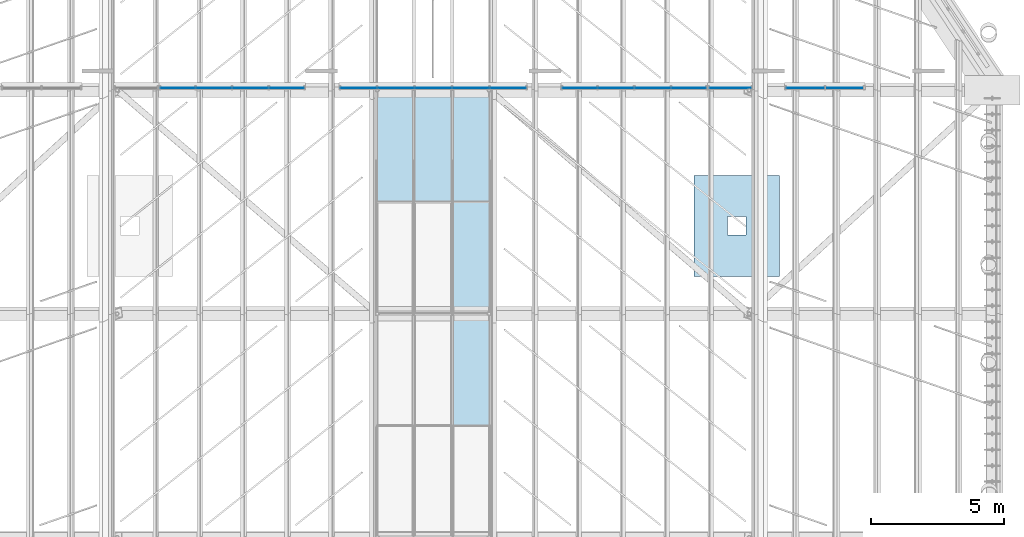
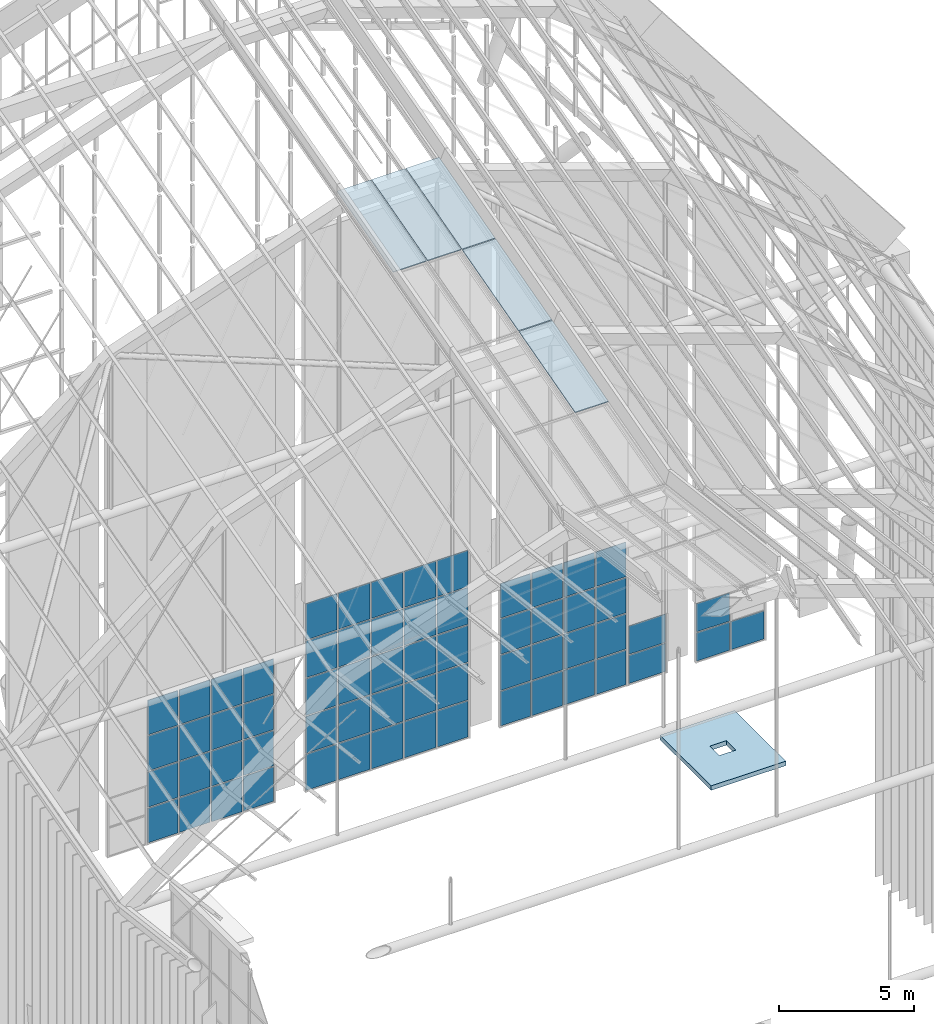
# One storey, part 76 of 126: 67 plates, 1 slab, 5 elements without a shape of their own.
"""IFC4 building model written with IfcOpenShell, lengths in metres."""

from ifc_helpers import new_model, si_unit, direction, frame, origin, origin_2d, place, context, subcontext, project, spatial, polyline, rectangle, outline, extrude, material, layer, layer_set, type_object, element, aggregate, save


model = new_model("IFC4")

# Units and contexts
model_context = context("Model", 3, precision=1e-05, world=origin(), true_north=direction((0.0, 1.0)))
body_context = subcontext(model_context, "Body", "Model", "MODEL_VIEW")
ifc_project = project(units=[si_unit("LENGTHUNIT", "METRE"), si_unit("AREAUNIT", "SQUARE_METRE"), si_unit("VOLUMEUNIT", "CUBIC_METRE"), si_unit("PLANEANGLEUNIT", "RADIAN"), si_unit("MASSUNIT", "GRAM", prefix="KILO")], contexts=[model_context])

# Site, building, storey
site_placement = place(None, origin())
site = spatial("IfcSite", under=ifc_project, at=site_placement, CompositionType="ELEMENT")
building_placement = place(site_placement, origin())
building = spatial("IfcBuilding", under=site, at=building_placement, Name="Sava Quay Ferry Terminal", CompositionType="ELEMENT")
storey_placement = place(building_placement, frame((0.0, 0.0, 15.0)))
storey = spatial("IfcBuildingStorey", under=building, at=storey_placement, Name="L03", CompositionType="ELEMENT", Elevation=15.0)

# Curtain wall, plates
ifc_material_1 = material(Name="Aluminium and glass curtain wall, double low-e glazed", Category="aluminium")
curtain_wall_type = type_object("IfcCurtainWallType", Name="Curtain wall CW-G gable", PredefinedType="NOTDEFINED", material=ifc_material_1)
curtain_wall_1_placement = place(storey_placement, origin())
curtain_wall_1 = element("IfcCurtainWall", 1, at=curtain_wall_1_placement, inside=storey, type_object=curtain_wall_type, Name="Curtain wall D-N L03 bay 21", PredefinedType="NOTDEFINED")
ifc_material_2 = material(Name="Laminated glass, double low-e glazed unit", Category="glass")
ifc_layer_1 = layer(ifc_material_2, 0.028076171875)
ifc_layer_set_1 = layer_set([ifc_layer_1], Name="Laminated glass, double low-e glazed unit")
plate_type_1 = type_object("IfcPlateType", Name="Glass panel 28 double low-e", PredefinedType="CURTAIN_PANEL", material=ifc_layer_set_1)
plate_1_placement = place(storey_placement, frame((53.402587890625, 100.885009765625, 0.050048828125), z_axis=(0.0, 0.0, 1.0), x_axis=(1.0, 0.0, 0.0)))
plate_1 = element("IfcPlate", 2, at=plate_1_placement, type_object=plate_type_1, Name="CW68 panel 1.1", PredefinedType="CURTAIN_PANEL", context=body_context, shape_type="SweptSolid", body=[
    extrude(rectangle(XDim=1.284912109375, YDim=0.028076171875, at=origin_2d()), origin(), (0.0, 0.0, 1.0), 1.5625),
])
plate_2_placement = place(storey_placement, frame((53.402587890625, 100.885009765625, 1.66259765625), z_axis=(0.0, 0.0, 1.0), x_axis=(1.0, 0.0, 0.0)))
plate_2 = element("IfcPlate", 3, at=plate_2_placement, type_object=plate_type_1, Name="CW68 panel 1.2", PredefinedType="CURTAIN_PANEL", context=body_context, shape_type="SweptSolid", body=[
    extrude(rectangle(XDim=1.284912109375, YDim=0.028076171875, at=origin_2d()), origin(), (0.0, 0.0, 1.0), 1.58740234375),
])
plate_3_placement = place(storey_placement, frame((53.402587890625, 100.885009765625, 3.300048828125), z_axis=(0.0, 0.0, 1.0), x_axis=(1.0, 0.0, 0.0)))
plate_3 = element("IfcPlate", 4, at=plate_3_placement, type_object=plate_type_1, Name="CW68 panel 1.3", PredefinedType="CURTAIN_PANEL", context=body_context, shape_type="SweptSolid", body=[
    extrude(rectangle(XDim=1.284912109375, YDim=0.028076171875, at=origin_2d()), origin(), (0.0, 0.0, 1.0), 1.58740234375),
])
plate_4_placement = place(storey_placement, frame((53.402587890625, 100.885009765625, 4.9375), z_axis=(0.0, 0.0, 1.0), x_axis=(1.0, 0.0, 0.0)))
plate_4 = element("IfcPlate", 5, at=plate_4_placement, type_object=plate_type_1, Name="CW68 panel 1.4", PredefinedType="CURTAIN_PANEL", context=body_context, shape_type="SweptSolid", body=[
    extrude(rectangle(XDim=1.284912109375, YDim=0.028076171875, at=origin_2d()), origin(), (0.0, 0.0, 1.0), 1.5625),
])
plate_5_placement = place(storey_placement, frame((54.762451171875, 100.885009765625, 0.050048828125), z_axis=(0.0, 0.0, 1.0), x_axis=(1.0, 0.0, 0.0)))
plate_5 = element("IfcPlate", 6, at=plate_5_placement, type_object=plate_type_1, Name="CW68 panel 2.1", PredefinedType="CURTAIN_PANEL", context=body_context, shape_type="SweptSolid", body=[
    extrude(rectangle(XDim=1.31494140625, YDim=0.028076171875, at=origin_2d()), origin(), (0.0, 0.0, 1.0), 1.5625),
])
plate_6_placement = place(storey_placement, frame((54.762451171875, 100.885009765625, 1.66259765625), z_axis=(0.0, 0.0, 1.0), x_axis=(1.0, 0.0, 0.0)))
plate_6 = element("IfcPlate", 7, at=plate_6_placement, type_object=plate_type_1, Name="CW68 panel 2.2", PredefinedType="CURTAIN_PANEL", context=body_context, shape_type="SweptSolid", body=[
    extrude(rectangle(XDim=1.31494140625, YDim=0.028076171875, at=origin_2d()), origin(), (0.0, 0.0, 1.0), 1.58740234375),
])
plate_7_placement = place(storey_placement, frame((54.762451171875, 100.885009765625, 3.300048828125), z_axis=(0.0, 0.0, 1.0), x_axis=(1.0, 0.0, 0.0)))
plate_7 = element("IfcPlate", 8, at=plate_7_placement, type_object=plate_type_1, Name="CW68 panel 2.3", PredefinedType="CURTAIN_PANEL", context=body_context, shape_type="SweptSolid", body=[
    extrude(rectangle(XDim=1.31494140625, YDim=0.028076171875, at=origin_2d()), origin(), (0.0, 0.0, 1.0), 1.58740234375),
])
plate_8_placement = place(storey_placement, frame((54.762451171875, 100.885009765625, 4.9375), z_axis=(0.0, 0.0, 1.0), x_axis=(1.0, 0.0, 0.0)))
plate_8 = element("IfcPlate", 9, at=plate_8_placement, type_object=plate_type_1, Name="CW68 panel 2.4", PredefinedType="CURTAIN_PANEL", context=body_context, shape_type="SweptSolid", body=[
    extrude(rectangle(XDim=1.31494140625, YDim=0.028076171875, at=origin_2d()), origin(), (0.0, 0.0, 1.0), 1.5625),
])
plate_9_placement = place(storey_placement, frame((56.137451171875, 100.885009765625, 0.050048828125), z_axis=(0.0, 0.0, 1.0), x_axis=(1.0, 0.0, 0.0)))
plate_9 = element("IfcPlate", 10, at=plate_9_placement, type_object=plate_type_1, Name="CW68 panel 3.1", PredefinedType="CURTAIN_PANEL", context=body_context, shape_type="SweptSolid", body=[
    extrude(rectangle(XDim=1.31494140625, YDim=0.028076171875, at=origin_2d()), origin(), (0.0, 0.0, 1.0), 1.5625),
])
plate_10_placement = place(storey_placement, frame((56.137451171875, 100.885009765625, 1.66259765625), z_axis=(0.0, 0.0, 1.0), x_axis=(1.0, 0.0, 0.0)))
plate_10 = element("IfcPlate", 11, at=plate_10_placement, type_object=plate_type_1, Name="CW68 panel 3.2", PredefinedType="CURTAIN_PANEL", context=body_context, shape_type="SweptSolid", body=[
    extrude(rectangle(XDim=1.31494140625, YDim=0.028076171875, at=origin_2d()), origin(), (0.0, 0.0, 1.0), 1.58740234375),
])
plate_11_placement = place(storey_placement, frame((56.137451171875, 100.885009765625, 3.300048828125), z_axis=(0.0, 0.0, 1.0), x_axis=(1.0, 0.0, 0.0)))
plate_11 = element("IfcPlate", 12, at=plate_11_placement, type_object=plate_type_1, Name="CW68 panel 3.3", PredefinedType="CURTAIN_PANEL", context=body_context, shape_type="SweptSolid", body=[
    extrude(rectangle(XDim=1.31494140625, YDim=0.028076171875, at=origin_2d()), origin(), (0.0, 0.0, 1.0), 1.58740234375),
])
plate_12_placement = place(storey_placement, frame((56.137451171875, 100.885009765625, 4.9375), z_axis=(0.0, 0.0, 1.0), x_axis=(1.0, 0.0, 0.0)))
plate_12 = element("IfcPlate", 13, at=plate_12_placement, type_object=plate_type_1, Name="CW68 panel 3.4", PredefinedType="CURTAIN_PANEL", context=body_context, shape_type="SweptSolid", body=[
    extrude(rectangle(XDim=1.31494140625, YDim=0.028076171875, at=origin_2d()), origin(), (0.0, 0.0, 1.0), 1.5625),
])
plate_13_placement = place(storey_placement, frame((57.49755859375, 100.885009765625, 0.050048828125), z_axis=(0.0, 0.0, 1.0), x_axis=(1.0, 0.0, 0.0)))
plate_13 = element("IfcPlate", 14, at=plate_13_placement, type_object=plate_type_1, Name="CW68 panel 4.1", PredefinedType="CURTAIN_PANEL", context=body_context, shape_type="SweptSolid", body=[
    extrude(rectangle(XDim=1.284912109375, YDim=0.028076171875, at=origin_2d()), origin(), (0.0, 0.0, 1.0), 1.5625),
])
plate_14_placement = place(storey_placement, frame((57.49755859375, 100.885009765625, 1.66259765625), z_axis=(0.0, 0.0, 1.0), x_axis=(1.0, 0.0, 0.0)))
plate_14 = element("IfcPlate", 15, at=plate_14_placement, type_object=plate_type_1, Name="CW68 panel 4.2", PredefinedType="CURTAIN_PANEL", context=body_context, shape_type="SweptSolid", body=[
    extrude(rectangle(XDim=1.284912109375, YDim=0.028076171875, at=origin_2d()), origin(), (0.0, 0.0, 1.0), 1.58740234375),
])
plate_15_placement = place(storey_placement, frame((57.49755859375, 100.885009765625, 3.300048828125), z_axis=(0.0, 0.0, 1.0), x_axis=(1.0, 0.0, 0.0)))
plate_15 = element("IfcPlate", 16, at=plate_15_placement, type_object=plate_type_1, Name="CW68 panel 4.3", PredefinedType="CURTAIN_PANEL", context=body_context, shape_type="SweptSolid", body=[
    extrude(rectangle(XDim=1.284912109375, YDim=0.028076171875, at=origin_2d()), origin(), (0.0, 0.0, 1.0), 1.58740234375),
])
plate_16_placement = place(storey_placement, frame((57.49755859375, 100.885009765625, 4.9375), z_axis=(0.0, 0.0, 1.0), x_axis=(1.0, 0.0, 0.0)))
plate_16 = element("IfcPlate", 17, at=plate_16_placement, type_object=plate_type_1, Name="CW68 panel 4.4", PredefinedType="CURTAIN_PANEL", context=body_context, shape_type="SweptSolid", body=[
    extrude(rectangle(XDim=1.284912109375, YDim=0.028076171875, at=origin_2d()), origin(), (0.0, 0.0, 1.0), 1.5625),
])
aggregate(curtain_wall_1, [plate_1, plate_2, plate_3, plate_4, plate_5, plate_6, plate_7, plate_8, plate_9, plate_10, plate_11, plate_12, plate_13, plate_14, plate_15, plate_16])

curtain_wall_2_placement = place(storey_placement, origin())
curtain_wall_2 = element("IfcCurtainWall", 18, at=curtain_wall_2_placement, inside=storey, type_object=curtain_wall_type, Name="Curtain wall D-N L03 bay 31", PredefinedType="NOTDEFINED")
plate_17_placement = place(storey_placement, frame((60.19091796875, 100.885009765625, 0.0498046875), z_axis=(0.0, 0.0, 1.0), x_axis=(1.0, 0.0, 0.0)))
plate_17 = element("IfcPlate", 19, at=plate_17_placement, type_object=plate_type_1, Name="CW72 panel 1.1", PredefinedType="CURTAIN_PANEL", context=body_context, shape_type="SweptSolid", body=[
    extrude(rectangle(XDim=1.322021484375, YDim=0.028076171875, at=origin_2d()), origin(), (0.0, 0.0, 1.0), 1.635009765625),
])
plate_18_placement = place(storey_placement, frame((60.19091796875, 100.885009765625, 1.73486328125), z_axis=(0.0, 0.0, 1.0), x_axis=(1.0, 0.0, 0.0)))
plate_18 = element("IfcPlate", 20, at=plate_18_placement, type_object=plate_type_1, Name="CW72 panel 1.2", PredefinedType="CURTAIN_PANEL", context=body_context, shape_type="SweptSolid", body=[
    extrude(rectangle(XDim=1.322021484375, YDim=0.028076171875, at=origin_2d()), origin(), (0.0, 0.0, 1.0), 1.659912109375),
])
plate_19_placement = place(storey_placement, frame((60.19091796875, 100.885009765625, 3.44482421875), z_axis=(0.0, 0.0, 1.0), x_axis=(1.0, 0.0, 0.0)))
plate_19 = element("IfcPlate", 21, at=plate_19_placement, type_object=plate_type_1, Name="CW72 panel 1.3", PredefinedType="CURTAIN_PANEL", context=body_context, shape_type="SweptSolid", body=[
    extrude(rectangle(XDim=1.322021484375, YDim=0.028076171875, at=origin_2d()), origin(), (0.0, 0.0, 1.0), 1.659912109375),
])
plate_20_placement = place(storey_placement, frame((60.19091796875, 100.885009765625, 5.1552734375), z_axis=(0.0, 0.0, 1.0), x_axis=(1.0, 0.0, 0.0)))
plate_20 = element("IfcPlate", 22, at=plate_20_placement, type_object=plate_type_1, Name="CW72 panel 1.4", PredefinedType="CURTAIN_PANEL", context=body_context, shape_type="SweptSolid", body=[
    extrude(rectangle(XDim=1.322021484375, YDim=0.028076171875, at=origin_2d()), origin(), (0.0, 0.0, 1.0), 1.659912109375),
])
plate_21_placement = place(storey_placement, frame((60.19091796875, 100.885009765625, 6.865234375), z_axis=(0.0, 0.0, 1.0), x_axis=(1.0, 0.0, 0.0)))
plate_21 = element("IfcPlate", 23, at=plate_21_placement, type_object=plate_type_1, Name="CW72 panel 1.5", PredefinedType="CURTAIN_PANEL", context=body_context, shape_type="SweptSolid", body=[
    extrude(rectangle(XDim=1.322021484375, YDim=0.028076171875, at=origin_2d()), origin(), (0.0, 0.0, 1.0), 1.635009765625),
])
plate_22_placement = place(storey_placement, frame((61.587890625, 100.885009765625, 0.0498046875), z_axis=(0.0, 0.0, 1.0), x_axis=(1.0, 0.0, 0.0)))
plate_22 = element("IfcPlate", 24, at=plate_22_placement, type_object=plate_type_1, Name="CW72 panel 2.1", PredefinedType="CURTAIN_PANEL", context=body_context, shape_type="SweptSolid", body=[
    extrude(rectangle(XDim=1.35205078125, YDim=0.028076171875, at=origin_2d()), origin(), (0.0, 0.0, 1.0), 1.635009765625),
])
plate_23_placement = place(storey_placement, frame((61.587890625, 100.885009765625, 1.73486328125), z_axis=(0.0, 0.0, 1.0), x_axis=(1.0, 0.0, 0.0)))
plate_23 = element("IfcPlate", 25, at=plate_23_placement, type_object=plate_type_1, Name="CW72 panel 2.2", PredefinedType="CURTAIN_PANEL", context=body_context, shape_type="SweptSolid", body=[
    extrude(rectangle(XDim=1.35205078125, YDim=0.028076171875, at=origin_2d()), origin(), (0.0, 0.0, 1.0), 1.659912109375),
])
plate_24_placement = place(storey_placement, frame((61.587890625, 100.885009765625, 3.44482421875), z_axis=(0.0, 0.0, 1.0), x_axis=(1.0, 0.0, 0.0)))
plate_24 = element("IfcPlate", 26, at=plate_24_placement, type_object=plate_type_1, Name="CW72 panel 2.3", PredefinedType="CURTAIN_PANEL", context=body_context, shape_type="SweptSolid", body=[
    extrude(rectangle(XDim=1.35205078125, YDim=0.028076171875, at=origin_2d()), origin(), (0.0, 0.0, 1.0), 1.659912109375),
])
plate_25_placement = place(storey_placement, frame((61.587890625, 100.885009765625, 5.1552734375), z_axis=(0.0, 0.0, 1.0), x_axis=(1.0, 0.0, 0.0)))
plate_25 = element("IfcPlate", 27, at=plate_25_placement, type_object=plate_type_1, Name="CW72 panel 2.4", PredefinedType="CURTAIN_PANEL", context=body_context, shape_type="SweptSolid", body=[
    extrude(rectangle(XDim=1.35205078125, YDim=0.028076171875, at=origin_2d()), origin(), (0.0, 0.0, 1.0), 1.659912109375),
])
plate_26_placement = place(storey_placement, frame((61.587890625, 100.885009765625, 6.865234375), z_axis=(0.0, 0.0, 1.0), x_axis=(1.0, 0.0, 0.0)))
plate_26 = element("IfcPlate", 28, at=plate_26_placement, type_object=plate_type_1, Name="CW72 panel 2.5", PredefinedType="CURTAIN_PANEL", context=body_context, shape_type="SweptSolid", body=[
    extrude(rectangle(XDim=1.35205078125, YDim=0.028076171875, at=origin_2d()), origin(), (0.0, 0.0, 1.0), 1.635009765625),
])
plate_27_placement = place(storey_placement, frame((63.0, 100.885009765625, 0.0498046875), z_axis=(0.0, 0.0, 1.0), x_axis=(1.0, 0.0, 0.0)))
plate_27 = element("IfcPlate", 29, at=plate_27_placement, type_object=plate_type_1, Name="CW72 panel 3.1", PredefinedType="CURTAIN_PANEL", context=body_context, shape_type="SweptSolid", body=[
    extrude(rectangle(XDim=1.35205078125, YDim=0.028076171875, at=origin_2d()), origin(), (0.0, 0.0, 1.0), 1.635009765625),
])
plate_28_placement = place(storey_placement, frame((63.0, 100.885009765625, 1.73486328125), z_axis=(0.0, 0.0, 1.0), x_axis=(1.0, 0.0, 0.0)))
plate_28 = element("IfcPlate", 30, at=plate_28_placement, type_object=plate_type_1, Name="CW72 panel 3.2", PredefinedType="CURTAIN_PANEL", context=body_context, shape_type="SweptSolid", body=[
    extrude(rectangle(XDim=1.35205078125, YDim=0.028076171875, at=origin_2d()), origin(), (0.0, 0.0, 1.0), 1.659912109375),
])
plate_29_placement = place(storey_placement, frame((63.0, 100.885009765625, 3.44482421875), z_axis=(0.0, 0.0, 1.0), x_axis=(1.0, 0.0, 0.0)))
plate_29 = element("IfcPlate", 31, at=plate_29_placement, type_object=plate_type_1, Name="CW72 panel 3.3", PredefinedType="CURTAIN_PANEL", context=body_context, shape_type="SweptSolid", body=[
    extrude(rectangle(XDim=1.35205078125, YDim=0.028076171875, at=origin_2d()), origin(), (0.0, 0.0, 1.0), 1.659912109375),
])
plate_30_placement = place(storey_placement, frame((63.0, 100.885009765625, 5.1552734375), z_axis=(0.0, 0.0, 1.0), x_axis=(1.0, 0.0, 0.0)))
plate_30 = element("IfcPlate", 32, at=plate_30_placement, type_object=plate_type_1, Name="CW72 panel 3.4", PredefinedType="CURTAIN_PANEL", context=body_context, shape_type="SweptSolid", body=[
    extrude(rectangle(XDim=1.35205078125, YDim=0.028076171875, at=origin_2d()), origin(), (0.0, 0.0, 1.0), 1.659912109375),
])
plate_31_placement = place(storey_placement, frame((63.0, 100.885009765625, 6.865234375), z_axis=(0.0, 0.0, 1.0), x_axis=(1.0, 0.0, 0.0)))
plate_31 = element("IfcPlate", 33, at=plate_31_placement, type_object=plate_type_1, Name="CW72 panel 3.5", PredefinedType="CURTAIN_PANEL", context=body_context, shape_type="SweptSolid", body=[
    extrude(rectangle(XDim=1.35205078125, YDim=0.028076171875, at=origin_2d()), origin(), (0.0, 0.0, 1.0), 1.635009765625),
])
plate_32_placement = place(storey_placement, frame((64.412109375, 100.885009765625, 0.0498046875), z_axis=(0.0, 0.0, 1.0), x_axis=(1.0, 0.0, 0.0)))
plate_32 = element("IfcPlate", 34, at=plate_32_placement, type_object=plate_type_1, Name="CW72 panel 4.1", PredefinedType="CURTAIN_PANEL", context=body_context, shape_type="SweptSolid", body=[
    extrude(rectangle(XDim=1.35205078125, YDim=0.028076171875, at=origin_2d()), origin(), (0.0, 0.0, 1.0), 1.635009765625),
])
plate_33_placement = place(storey_placement, frame((64.412109375, 100.885009765625, 1.73486328125), z_axis=(0.0, 0.0, 1.0), x_axis=(1.0, 0.0, 0.0)))
plate_33 = element("IfcPlate", 35, at=plate_33_placement, type_object=plate_type_1, Name="CW72 panel 4.2", PredefinedType="CURTAIN_PANEL", context=body_context, shape_type="SweptSolid", body=[
    extrude(rectangle(XDim=1.35205078125, YDim=0.028076171875, at=origin_2d()), origin(), (0.0, 0.0, 1.0), 1.659912109375),
])
plate_34_placement = place(storey_placement, frame((64.412109375, 100.885009765625, 3.44482421875), z_axis=(0.0, 0.0, 1.0), x_axis=(1.0, 0.0, 0.0)))
plate_34 = element("IfcPlate", 36, at=plate_34_placement, type_object=plate_type_1, Name="CW72 panel 4.3", PredefinedType="CURTAIN_PANEL", context=body_context, shape_type="SweptSolid", body=[
    extrude(rectangle(XDim=1.35205078125, YDim=0.028076171875, at=origin_2d()), origin(), (0.0, 0.0, 1.0), 1.659912109375),
])
plate_35_placement = place(storey_placement, frame((64.412109375, 100.885009765625, 5.1552734375), z_axis=(0.0, 0.0, 1.0), x_axis=(1.0, 0.0, 0.0)))
plate_35 = element("IfcPlate", 37, at=plate_35_placement, type_object=plate_type_1, Name="CW72 panel 4.4", PredefinedType="CURTAIN_PANEL", context=body_context, shape_type="SweptSolid", body=[
    extrude(rectangle(XDim=1.35205078125, YDim=0.028076171875, at=origin_2d()), origin(), (0.0, 0.0, 1.0), 1.659912109375),
])
plate_36_placement = place(storey_placement, frame((64.412109375, 100.885009765625, 6.865234375), z_axis=(0.0, 0.0, 1.0), x_axis=(1.0, 0.0, 0.0)))
plate_36 = element("IfcPlate", 38, at=plate_36_placement, type_object=plate_type_1, Name="CW72 panel 4.5", PredefinedType="CURTAIN_PANEL", context=body_context, shape_type="SweptSolid", body=[
    extrude(rectangle(XDim=1.35205078125, YDim=0.028076171875, at=origin_2d()), origin(), (0.0, 0.0, 1.0), 1.635009765625),
])
plate_37_placement = place(storey_placement, frame((65.80908203125, 100.885009765625, 0.0498046875), z_axis=(0.0, 0.0, 1.0), x_axis=(1.0, 0.0, 0.0)))
plate_37 = element("IfcPlate", 39, at=plate_37_placement, type_object=plate_type_1, Name="CW72 panel 5.1", PredefinedType="CURTAIN_PANEL", context=body_context, shape_type="SweptSolid", body=[
    extrude(rectangle(XDim=1.322021484375, YDim=0.028076171875, at=origin_2d()), origin(), (0.0, 0.0, 1.0), 1.635009765625),
])
plate_38_placement = place(storey_placement, frame((65.80908203125, 100.885009765625, 1.73486328125), z_axis=(0.0, 0.0, 1.0), x_axis=(1.0, 0.0, 0.0)))
plate_38 = element("IfcPlate", 40, at=plate_38_placement, type_object=plate_type_1, Name="CW72 panel 5.2", PredefinedType="CURTAIN_PANEL", context=body_context, shape_type="SweptSolid", body=[
    extrude(rectangle(XDim=1.322021484375, YDim=0.028076171875, at=origin_2d()), origin(), (0.0, 0.0, 1.0), 1.659912109375),
])
plate_39_placement = place(storey_placement, frame((65.80908203125, 100.885009765625, 3.44482421875), z_axis=(0.0, 0.0, 1.0), x_axis=(1.0, 0.0, 0.0)))
plate_39 = element("IfcPlate", 41, at=plate_39_placement, type_object=plate_type_1, Name="CW72 panel 5.3", PredefinedType="CURTAIN_PANEL", context=body_context, shape_type="SweptSolid", body=[
    extrude(rectangle(XDim=1.322021484375, YDim=0.028076171875, at=origin_2d()), origin(), (0.0, 0.0, 1.0), 1.659912109375),
])
plate_40_placement = place(storey_placement, frame((65.80908203125, 100.885009765625, 5.1552734375), z_axis=(0.0, 0.0, 1.0), x_axis=(1.0, 0.0, 0.0)))
plate_40 = element("IfcPlate", 42, at=plate_40_placement, type_object=plate_type_1, Name="CW72 panel 5.4", PredefinedType="CURTAIN_PANEL", context=body_context, shape_type="SweptSolid", body=[
    extrude(rectangle(XDim=1.322021484375, YDim=0.028076171875, at=origin_2d()), origin(), (0.0, 0.0, 1.0), 1.659912109375),
])
plate_41_placement = place(storey_placement, frame((65.80908203125, 100.885009765625, 6.865234375), z_axis=(0.0, 0.0, 1.0), x_axis=(1.0, 0.0, 0.0)))
plate_41 = element("IfcPlate", 43, at=plate_41_placement, type_object=plate_type_1, Name="CW72 panel 5.5", PredefinedType="CURTAIN_PANEL", context=body_context, shape_type="SweptSolid", body=[
    extrude(rectangle(XDim=1.322021484375, YDim=0.028076171875, at=origin_2d()), origin(), (0.0, 0.0, 1.0), 1.635009765625),
])
aggregate(curtain_wall_2, [plate_17, plate_18, plate_19, plate_20, plate_21, plate_22, plate_23, plate_24, plate_25, plate_26, plate_27, plate_28, plate_29, plate_30, plate_31, plate_32, plate_33, plate_34, plate_35, plate_36, plate_37, plate_38, plate_39, plate_40, plate_41])

curtain_wall_3_placement = place(storey_placement, origin())
curtain_wall_3 = element("IfcCurtainWall", 44, at=curtain_wall_3_placement, inside=storey, type_object=curtain_wall_type, Name="Curtain wall D-N L03 bay 41", PredefinedType="NOTDEFINED")
plate_42_placement = place(storey_placement, frame((68.50244140625, 100.885009765625, 0.050048828125), z_axis=(0.0, 0.0, 1.0), x_axis=(1.0, 0.0, 0.0)))
plate_42 = element("IfcPlate", 45, at=plate_42_placement, type_object=plate_type_1, Name="CW76 panel 1.1", PredefinedType="CURTAIN_PANEL", context=body_context, shape_type="SweptSolid", body=[
    extrude(rectangle(XDim=1.284912109375, YDim=0.028076171875, at=origin_2d()), origin(), (0.0, 0.0, 1.0), 1.5625),
])
plate_43_placement = place(storey_placement, frame((68.50244140625, 100.885009765625, 1.66259765625), z_axis=(0.0, 0.0, 1.0), x_axis=(1.0, 0.0, 0.0)))
plate_43 = element("IfcPlate", 46, at=plate_43_placement, type_object=plate_type_1, Name="CW76 panel 1.2", PredefinedType="CURTAIN_PANEL", context=body_context, shape_type="SweptSolid", body=[
    extrude(rectangle(XDim=1.284912109375, YDim=0.028076171875, at=origin_2d()), origin(), (0.0, 0.0, 1.0), 1.58740234375),
])
plate_44_placement = place(storey_placement, frame((68.50244140625, 100.885009765625, 3.300048828125), z_axis=(0.0, 0.0, 1.0), x_axis=(1.0, 0.0, 0.0)))
plate_44 = element("IfcPlate", 47, at=plate_44_placement, type_object=plate_type_1, Name="CW76 panel 1.3", PredefinedType="CURTAIN_PANEL", context=body_context, shape_type="SweptSolid", body=[
    extrude(rectangle(XDim=1.284912109375, YDim=0.028076171875, at=origin_2d()), origin(), (0.0, 0.0, 1.0), 1.58740234375),
])
plate_45_placement = place(storey_placement, frame((68.50244140625, 100.885009765625, 4.9375), z_axis=(0.0, 0.0, 1.0), x_axis=(1.0, 0.0, 0.0)))
plate_45 = element("IfcPlate", 48, at=plate_45_placement, type_object=plate_type_1, Name="CW76 panel 1.4", PredefinedType="CURTAIN_PANEL", context=body_context, shape_type="SweptSolid", body=[
    extrude(rectangle(XDim=1.284912109375, YDim=0.028076171875, at=origin_2d()), origin(), (0.0, 0.0, 1.0), 1.5625),
])
plate_46_placement = place(storey_placement, frame((69.862548828125, 100.885009765625, 0.050048828125), z_axis=(0.0, 0.0, 1.0), x_axis=(1.0, 0.0, 0.0)))
plate_46 = element("IfcPlate", 49, at=plate_46_placement, type_object=plate_type_1, Name="CW76 panel 2.1", PredefinedType="CURTAIN_PANEL", context=body_context, shape_type="SweptSolid", body=[
    extrude(rectangle(XDim=1.31494140625, YDim=0.028076171875, at=origin_2d()), origin(), (0.0, 0.0, 1.0), 1.5625),
])
plate_47_placement = place(storey_placement, frame((69.862548828125, 100.885009765625, 1.66259765625), z_axis=(0.0, 0.0, 1.0), x_axis=(1.0, 0.0, 0.0)))
plate_47 = element("IfcPlate", 50, at=plate_47_placement, type_object=plate_type_1, Name="CW76 panel 2.2", PredefinedType="CURTAIN_PANEL", context=body_context, shape_type="SweptSolid", body=[
    extrude(rectangle(XDim=1.31494140625, YDim=0.028076171875, at=origin_2d()), origin(), (0.0, 0.0, 1.0), 1.58740234375),
])
plate_48_placement = place(storey_placement, frame((69.862548828125, 100.885009765625, 3.300048828125), z_axis=(0.0, 0.0, 1.0), x_axis=(1.0, 0.0, 0.0)))
plate_48 = element("IfcPlate", 51, at=plate_48_placement, type_object=plate_type_1, Name="CW76 panel 2.3", PredefinedType="CURTAIN_PANEL", context=body_context, shape_type="SweptSolid", body=[
    extrude(rectangle(XDim=1.31494140625, YDim=0.028076171875, at=origin_2d()), origin(), (0.0, 0.0, 1.0), 1.58740234375),
])
plate_49_placement = place(storey_placement, frame((69.862548828125, 100.885009765625, 4.9375), z_axis=(0.0, 0.0, 1.0), x_axis=(1.0, 0.0, 0.0)))
plate_49 = element("IfcPlate", 52, at=plate_49_placement, type_object=plate_type_1, Name="CW76 panel 2.4", PredefinedType="CURTAIN_PANEL", context=body_context, shape_type="SweptSolid", body=[
    extrude(rectangle(XDim=1.31494140625, YDim=0.028076171875, at=origin_2d()), origin(), (0.0, 0.0, 1.0), 1.5625),
])
plate_50_placement = place(storey_placement, frame((71.237548828125, 100.885009765625, 0.050048828125), z_axis=(0.0, 0.0, 1.0), x_axis=(1.0, 0.0, 0.0)))
plate_50 = element("IfcPlate", 53, at=plate_50_placement, type_object=plate_type_1, Name="CW76 panel 3.1", PredefinedType="CURTAIN_PANEL", context=body_context, shape_type="SweptSolid", body=[
    extrude(rectangle(XDim=1.31494140625, YDim=0.028076171875, at=origin_2d()), origin(), (0.0, 0.0, 1.0), 1.5625),
])
plate_51_placement = place(storey_placement, frame((71.237548828125, 100.885009765625, 1.66259765625), z_axis=(0.0, 0.0, 1.0), x_axis=(1.0, 0.0, 0.0)))
plate_51 = element("IfcPlate", 54, at=plate_51_placement, type_object=plate_type_1, Name="CW76 panel 3.2", PredefinedType="CURTAIN_PANEL", context=body_context, shape_type="SweptSolid", body=[
    extrude(rectangle(XDim=1.31494140625, YDim=0.028076171875, at=origin_2d()), origin(), (0.0, 0.0, 1.0), 1.58740234375),
])
plate_52_placement = place(storey_placement, frame((71.237548828125, 100.885009765625, 3.300048828125), z_axis=(0.0, 0.0, 1.0), x_axis=(1.0, 0.0, 0.0)))
plate_52 = element("IfcPlate", 55, at=plate_52_placement, type_object=plate_type_1, Name="CW76 panel 3.3", PredefinedType="CURTAIN_PANEL", context=body_context, shape_type="SweptSolid", body=[
    extrude(rectangle(XDim=1.31494140625, YDim=0.028076171875, at=origin_2d()), origin(), (0.0, 0.0, 1.0), 1.58740234375),
])
plate_53_placement = place(storey_placement, frame((71.237548828125, 100.885009765625, 4.9375), z_axis=(0.0, 0.0, 1.0), x_axis=(1.0, 0.0, 0.0)))
plate_53 = element("IfcPlate", 56, at=plate_53_placement, type_object=plate_type_1, Name="CW76 panel 3.4", PredefinedType="CURTAIN_PANEL", context=body_context, shape_type="SweptSolid", body=[
    extrude(rectangle(XDim=1.31494140625, YDim=0.028076171875, at=origin_2d()), origin(), (0.0, 0.0, 1.0), 1.5625),
])
plate_54_placement = place(storey_placement, frame((72.597412109375, 100.885009765625, 0.050048828125), z_axis=(0.0, 0.0, 1.0), x_axis=(1.0, 0.0, 0.0)))
plate_54 = element("IfcPlate", 57, at=plate_54_placement, type_object=plate_type_1, Name="CW76 panel 4.1", PredefinedType="CURTAIN_PANEL", context=body_context, shape_type="SweptSolid", body=[
    extrude(rectangle(XDim=1.284912109375, YDim=0.028076171875, at=origin_2d()), origin(), (0.0, 0.0, 1.0), 1.5625),
])
plate_55_placement = place(storey_placement, frame((72.597412109375, 100.885009765625, 1.66259765625), z_axis=(0.0, 0.0, 1.0), x_axis=(1.0, 0.0, 0.0)))
plate_55 = element("IfcPlate", 58, at=plate_55_placement, type_object=plate_type_1, Name="CW76 panel 4.2", PredefinedType="CURTAIN_PANEL", context=body_context, shape_type="SweptSolid", body=[
    extrude(rectangle(XDim=1.284912109375, YDim=0.028076171875, at=origin_2d()), origin(), (0.0, 0.0, 1.0), 1.58740234375),
])
plate_56_placement = place(storey_placement, frame((72.597412109375, 100.885009765625, 3.300048828125), z_axis=(0.0, 0.0, 1.0), x_axis=(1.0, 0.0, 0.0)))
plate_56 = element("IfcPlate", 59, at=plate_56_placement, type_object=plate_type_1, Name="CW76 panel 4.3", PredefinedType="CURTAIN_PANEL", context=body_context, shape_type="SweptSolid", body=[
    extrude(rectangle(XDim=1.284912109375, YDim=0.028076171875, at=origin_2d()), origin(), (0.0, 0.0, 1.0), 1.58740234375),
])
plate_57_placement = place(storey_placement, frame((72.597412109375, 100.885009765625, 4.9375), z_axis=(0.0, 0.0, 1.0), x_axis=(1.0, 0.0, 0.0)))
plate_57 = element("IfcPlate", 60, at=plate_57_placement, type_object=plate_type_1, Name="CW76 panel 4.4", PredefinedType="CURTAIN_PANEL", context=body_context, shape_type="SweptSolid", body=[
    extrude(rectangle(XDim=1.284912109375, YDim=0.028076171875, at=origin_2d()), origin(), (0.0, 0.0, 1.0), 1.5625),
])
aggregate(curtain_wall_3, [plate_42, plate_43, plate_44, plate_45, plate_46, plate_47, plate_48, plate_49, plate_50, plate_51, plate_52, plate_53, plate_54, plate_55, plate_56, plate_57])

curtain_wall_4_placement = place(storey_placement, origin())
curtain_wall_4 = element("IfcCurtainWall", 61, at=curtain_wall_4_placement, inside=storey, type_object=curtain_wall_type, Name="Curtain wall D-N L03 bay 51", PredefinedType="NOTDEFINED")
plate_58_placement = place(storey_placement, frame((74.14990234375, 100.885009765625, 0.050048828125), z_axis=(0.0, 0.0, 1.0), x_axis=(1.0, 0.0, 0.0)))
plate_58 = element("IfcPlate", 62, at=plate_58_placement, type_object=plate_type_1, Name="CW80 panel 1.1", PredefinedType="CURTAIN_PANEL", context=body_context, shape_type="SweptSolid", body=[
    extrude(rectangle(XDim=1.580078125, YDim=0.028076171875, at=origin_2d()), origin(), (0.0, 0.0, 1.0), 1.27490234375),
])
plate_59_placement = place(storey_placement, frame((74.14990234375, 100.885009765625, 1.375), z_axis=(0.0, 0.0, 1.0), x_axis=(1.0, 0.0, 0.0)))
plate_59 = element("IfcPlate", 63, at=plate_59_placement, type_object=plate_type_1, Name="CW80 panel 1.2", PredefinedType="CURTAIN_PANEL", context=body_context, shape_type="SweptSolid", body=[
    extrude(rectangle(XDim=1.580078125, YDim=0.028076171875, at=origin_2d()), origin(), (0.0, 0.0, 1.0), 1.27490234375),
])
aggregate(curtain_wall_4, [plate_58, plate_59])

curtain_wall_5_placement = place(storey_placement, origin())
curtain_wall_5 = element("IfcCurtainWall", 64, at=curtain_wall_5_placement, inside=storey, type_object=curtain_wall_type, Name="Curtain wall D-N L03 bay 52", PredefinedType="NOTDEFINED")
plate_60_placement = place(storey_placement, frame((76.969970703125, 100.885009765625, 0.050048828125), z_axis=(0.0, 0.0, 1.0), x_axis=(1.0, 0.0, 0.0)))
plate_60 = element("IfcPlate", 65, at=plate_60_placement, type_object=plate_type_1, Name="CW84 panel 1.1", PredefinedType="CURTAIN_PANEL", context=body_context, shape_type="SweptSolid", body=[
    extrude(rectangle(XDim=1.419921875, YDim=0.028076171875, at=origin_2d()), origin(), (0.0, 0.0, 1.0), 1.27490234375),
])
plate_61_placement = place(storey_placement, frame((76.969970703125, 100.885009765625, 1.375), z_axis=(0.0, 0.0, 1.0), x_axis=(1.0, 0.0, 0.0)))
plate_61 = element("IfcPlate", 66, at=plate_61_placement, type_object=plate_type_1, Name="CW84 panel 1.2", PredefinedType="CURTAIN_PANEL", context=body_context, shape_type="SweptSolid", body=[
    extrude(rectangle(XDim=1.419921875, YDim=0.028076171875, at=origin_2d()), origin(), (0.0, 0.0, 1.0), 1.27490234375),
])
plate_62_placement = place(storey_placement, frame((78.449951171875, 100.885009765625, 0.050048828125), z_axis=(0.0, 0.0, 1.0), x_axis=(1.0, 0.0, 0.0)))
plate_62 = element("IfcPlate", 67, at=plate_62_placement, type_object=plate_type_1, Name="CW84 panel 2.1", PredefinedType="CURTAIN_PANEL", context=body_context, shape_type="SweptSolid", body=[
    extrude(rectangle(XDim=1.419921875, YDim=0.028076171875, at=origin_2d()), origin(), (0.0, 0.0, 1.0), 1.27490234375),
])
aggregate(curtain_wall_5, [plate_60, plate_61, plate_62])

# Slab
ifc_material_3 = material(Name="Concrete C35/45", Category="concrete")
ifc_layer_2 = layer(ifc_material_3, 0.199951171875)
ifc_layer_set_2 = layer_set([ifc_layer_2], Name="Concrete C35/45")
slab_type = type_object("IfcSlabType", Name="RC core roof slab 200", PredefinedType="ROOF", material=ifc_layer_set_2)
slab_placement = place(storey_placement, frame((0.0, 0.0, -0.300048828125)))
element("IfcSlab", 68, at=slab_placement, inside=storey, type_object=slab_type, Name="Core roof slab LF-D3", PredefinedType="ROOF", context=body_context, shape_type="SweptSolid", body=[
    extrude(outline(polyline([(72.800048828125, 93.800048828125), (76.0, 93.800048828125), (76.0, 97.60009765625), (72.800048828125, 97.60009765625), (72.800048828125, 93.800048828125)]), holes=[polyline([(74.050048828125, 95.35009765625), (74.75, 95.35009765625), (74.75, 96.050048828125), (74.050048828125, 96.050048828125), (74.050048828125, 95.35009765625)])]), origin(), (0.0, 0.0, 1.0), 0.199951171875),
])

# Plates
ifc_material_4 = material(Name="Laminated glass", Category="glass")
ifc_layer_3 = layer(ifc_material_4, 0.0400390625)
ifc_layer_set_3 = layer_set([ifc_layer_3], Name="Laminated glass")
plate_type_2 = type_object("IfcPlateType", Name="Skylight glass 40", PredefinedType="SHEET", material=ifc_layer_set_3)
plate_63_placement = place(storey_placement, frame((63.756103515625, 88.219970703125, 23.375244140625), z_axis=(0.0, -0.263907655746, 0.96454795072), x_axis=(0.0, 0.96454795072, 0.263907655746)))
element("IfcPlate", 69, at=plate_63_placement, inside=storey, type_object=plate_type_2, Name="Departure hall skylight glass D-B4-F2-K21", PredefinedType="SHEET", context=body_context, shape_type="SweptSolid", body=[
    extrude(outline(polyline([(0.0, 0.0), (4.312810064309166, 0.0), (4.312810064309166, -1.4321289062500002), (0.0, -1.4321289062500002), (0.0, 0.0)])), origin(), (0.0, 0.0, -1.0), 0.0400390625),
])
for number, where, z_axis, x_axis, name in (
    (70, (60.811767578125, 96.6201171875, 25.67333984375), (0.0, -0.263854988926, 0.964562359217), (0.0, 0.964562359217, 0.263854988926), "Departure hall skylight glass D-B5-F2-K01"),
    (71, (62.283935546875, 96.6201171875, 25.67333984375), (0.0, -0.263854988926, 0.964562359217), (0.0, 0.964562359217, 0.263854988926), "Departure hall skylight glass D-B5-F2-K11"),
):
    element("IfcPlate", number, at=place(storey_placement, frame(where, z_axis=z_axis, x_axis=x_axis)), inside=storey, type_object=plate_type_2, Name=name, PredefinedType="SHEET", context=body_context, shape_type="SweptSolid", body=[
        extrude(outline(polyline([(0.0, 0.0), (4.312745640158156, 0.0), (4.312745640158156, -1.43212890625), (0.0, -1.43212890625), (0.0, 0.0)])), origin(), (0.0, 0.0, -1.0), 0.0400390625),
    ])
plate_64_placement = place(storey_placement, frame((63.756103515625, 92.419921875, 24.5244140625), z_axis=(0.0, -0.263840582409, 0.964566299989), x_axis=(0.0, 0.964566299989, 0.263840582409)))
element("IfcPlate", 72, at=plate_64_placement, inside=storey, type_object=plate_type_2, Name="Departure hall skylight glass D-B5-F2-K20", PredefinedType="SHEET", context=body_context, shape_type="SweptSolid", body=[
    extrude(outline(polyline([(0.0, 0.0), (4.3129811294964515, 0.0), (4.3129811294964515, -1.43212890625), (0.0, -1.43212890625), (0.0, 0.0)])), origin(), (0.0, 0.0, -1.0), 0.0400390625),
])
plate_65_placement = place(storey_placement, frame((63.756103515625, 96.6201171875, 25.67333984375), z_axis=(0.0, -0.263854988926, 0.964562359217), x_axis=(0.0, 0.964562359217, 0.263854988926)))
element("IfcPlate", 73, at=plate_65_placement, inside=storey, type_object=plate_type_2, Name="Departure hall skylight glass D-B5-F2-K21", PredefinedType="SHEET", context=body_context, shape_type="SweptSolid", body=[
    extrude(outline(polyline([(0.0, 0.0), (4.312745640158156, 0.0), (4.312745640158156, -1.43212890625), (0.0, -1.43212890625), (0.0, 0.0)])), origin(), (0.0, 0.0, -1.0), 0.0400390625),
])

save(model, "model.ifc")
